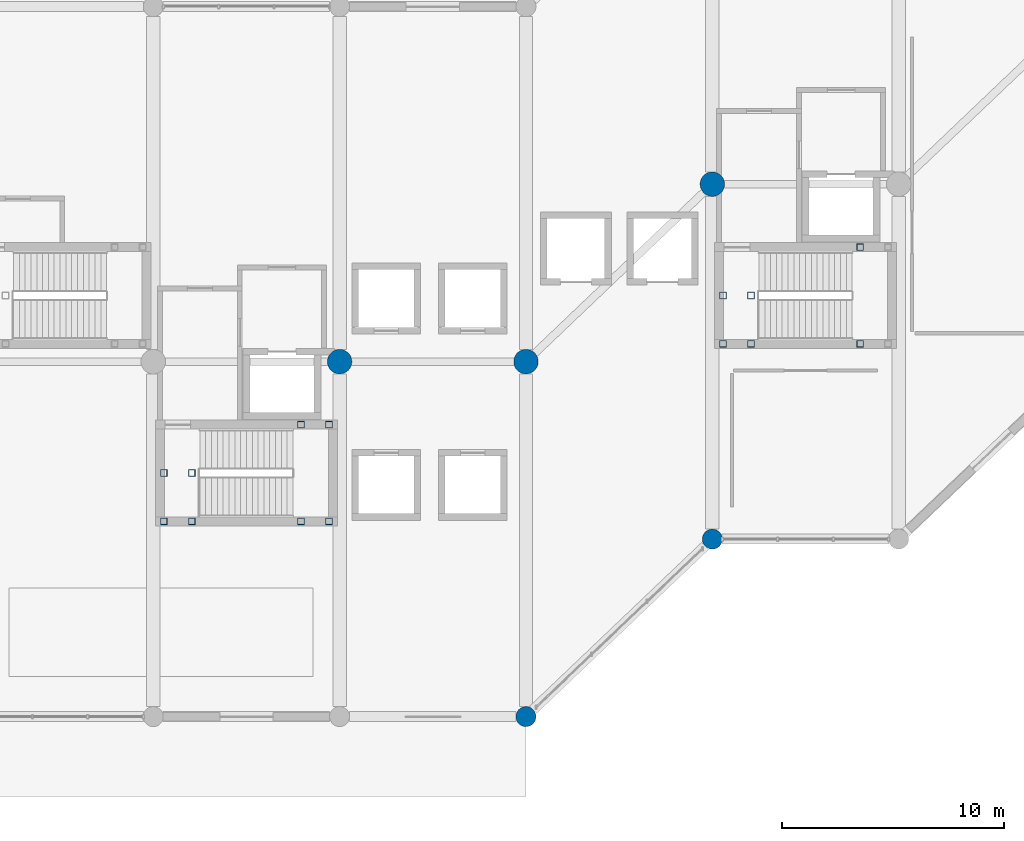
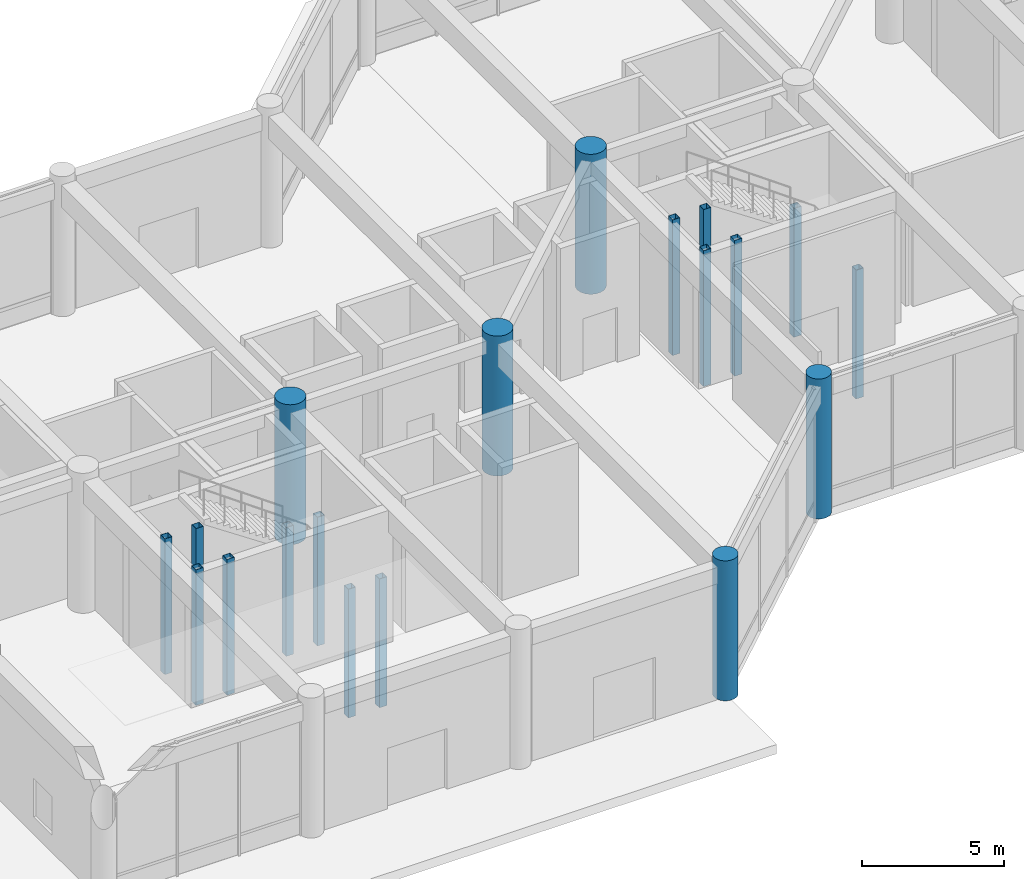
# One storey, part 16 of 76: 19 columns.
"""IFC4 building model written with IfcOpenShell, lengths in metres."""

from ifc_helpers import new_model, si_unit, direction, frame, origin, origin_2d, place, context, subcontext, project, spatial, hollow_rectangle, circle, extrude, material, material_profile, profile_set, type_object, element, save


model = new_model("IFC4")

# Units and contexts
model_context = context("Model", 3, precision=1e-05, world=origin(), true_north=direction((0.0, 1.0)))
body_context = subcontext(model_context, "Body", "Model", "MODEL_VIEW")
ifc_project = project(units=[si_unit("LENGTHUNIT", "METRE"), si_unit("AREAUNIT", "SQUARE_METRE"), si_unit("VOLUMEUNIT", "CUBIC_METRE"), si_unit("PLANEANGLEUNIT", "RADIAN"), si_unit("MASSUNIT", "GRAM", prefix="KILO")], contexts=[model_context])

# Site, building, storey
site_placement = place(None, origin())
site = spatial("IfcSite", under=ifc_project, at=site_placement, CompositionType="ELEMENT")
building_placement = place(site_placement, origin())
building = spatial("IfcBuilding", under=site, at=building_placement, Name="Naruveol Harbour Congress Hotel", CompositionType="ELEMENT")
storey_placement = place(building_placement, origin())
storey = spatial("IfcBuildingStorey", under=building, at=storey_placement, Name="L00", CompositionType="ELEMENT", Elevation=0.0)

# Columns
ifc_material_1 = material(Name="Concrete C50/60", Category="concrete")
ifc_material_profile_1 = material_profile(ifc_material_1, circle(Radius=0.449951171875, at=origin_2d()), Name="RC-D900")
ifc_profile_set_1 = profile_set([ifc_material_profile_1], Name="Concrete C50/60")
column_type_1 = type_object("IfcColumnType", Name="RC HARBOUR PILOTIS D900", PredefinedType="COLUMN", material=ifc_profile_set_1)
for number, where, z_axis, x_axis, name in (
    (1, (142.800048828125, 0.0, 0.0), (0.0, 0.0, 1.0), (1.0, 0.0, 0.0), "Column C-PD900 L00 (142.8,0.0)"),
    (2, (151.199951171875, 8.0, 0.0), (0.0, 0.0, 1.0), (1.0, 0.0, 0.0), "Column C-PD900 L00 (151.2,8.0)"),
):
    element("IfcColumn", number, at=place(storey_placement, frame(where, z_axis=z_axis, x_axis=x_axis)), inside=storey, type_object=column_type_1, Name=name, PredefinedType="COLUMN", context=body_context, shape_type="SweptSolid", body=[
        extrude(circle(Radius=0.449951171875, at=origin_2d()), origin(), (0.0, 0.0, 1.0), 6.0),
    ])
ifc_material_2 = material(Name="Concrete C50/60", Category="concrete")
ifc_material_profile_2 = material_profile(ifc_material_2, circle(Radius=0.550048828125, at=origin_2d()), Name="RC-D1100")
ifc_profile_set_2 = profile_set([ifc_material_profile_2], Name="Concrete C50/60")
column_type_2 = type_object("IfcColumnType", Name="RC TRANSFER PILOTIS D1100", PredefinedType="COLUMN", material=ifc_profile_set_2)
for number, where, z_axis, x_axis, name in (
    (3, (134.39990234375, 16.0, 0.0), (0.0, 0.0, 1.0), (1.0, 0.0, 0.0), "Column C-PD1100 L00 (134.4,16.0)"),
    (4, (142.800048828125, 16.0, 0.0), (0.0, 0.0, 1.0), (1.0, 0.0, 0.0), "Column C-PD1100 L00 (142.8,16.0)"),
    (5, (151.199951171875, 24.0, 0.0), (0.0, 0.0, 1.0), (1.0, 0.0, 0.0), "Column C-PD1100 L00 (151.2,24.0)"),
):
    element("IfcColumn", number, at=place(storey_placement, frame(where, z_axis=z_axis, x_axis=x_axis)), inside=storey, type_object=column_type_2, Name=name, PredefinedType="COLUMN", context=body_context, shape_type="SweptSolid", body=[
        extrude(circle(Radius=0.550048828125, at=origin_2d()), origin(), (0.0, 0.0, 1.0), 6.0),
    ])
ifc_material_3 = material(Name="Steel SN490", Category="steel")
ifc_material_profile_3 = material_profile(ifc_material_3, hollow_rectangle(XDim=0.300048828125, YDim=0.300048828125, WallThickness=0.011962890625, at=origin_2d()), Name="SHS-300x300x12")
ifc_profile_set_3 = profile_set([ifc_material_profile_3], Name="Steel SN490")
column_type_3 = type_object("IfcColumnType", Name="STEEL COLONNADE POST SHS300", PredefinedType="COLUMN", material=ifc_profile_set_3)
for number, where, z_axis, x_axis, name in (
    (6, (126.47998046875, 8.800048828125, 0.0), (0.0, 0.0, 1.0), (1.0, 0.0, 0.0), "Stair landing support post ST1W #2"),
    (7, (126.47998046875, 10.97998046875, 0.0), (0.0, 0.0, 1.0), (1.0, 0.0, 0.0), "Stair landing support post ST1W #14"),
    (8, (127.739990234375, 8.800048828125, 0.0), (0.0, 0.0, 1.0), (1.0, 0.0, 0.0), "Stair landing support post ST1W #26"),
    (9, (127.739990234375, 10.97998046875, 0.0), (0.0, 0.0, 1.0), (1.0, 0.0, 0.0), "Stair landing support post ST1W #38"),
):
    element("IfcColumn", number, at=place(storey_placement, frame(where, z_axis=z_axis, x_axis=x_axis)), inside=storey, type_object=column_type_3, Name=name, PredefinedType="COLUMN", context=body_context, shape_type="SweptSolid", body=[
        extrude(hollow_rectangle(XDim=0.300048828125, YDim=0.300048828125, WallThickness=0.011962890625, at=origin_2d()), origin(), (0.0, 0.0, 1.0), 5.820068359375),
    ])
for number, where, z_axis, x_axis, name in (
    (10, (132.659912109375, 8.800048828125, -2.699951171875), (0.0, 0.0, 1.0), (1.0, 0.0, 0.0), "Stair landing support post ST1E #50"),
    (11, (132.659912109375, 13.159912109375, -2.699951171875), (0.0, 0.0, 1.0), (1.0, 0.0, 0.0), "Stair landing support post ST1E #62"),
    (12, (133.919921875, 8.800048828125, -2.699951171875), (0.0, 0.0, 1.0), (1.0, 0.0, 0.0), "Stair landing support post ST1E #74"),
    (13, (133.919921875, 13.159912109375, -2.699951171875), (0.0, 0.0, 1.0), (1.0, 0.0, 0.0), "Stair landing support post ST1E #86"),
):
    element("IfcColumn", number, at=place(storey_placement, frame(where, z_axis=z_axis, x_axis=x_axis)), inside=storey, type_object=column_type_3, Name=name, PredefinedType="COLUMN", context=body_context, shape_type="SweptSolid", body=[
        extrude(hollow_rectangle(XDim=0.300048828125, YDim=0.300048828125, WallThickness=0.011962890625, at=origin_2d()), origin(), (0.0, 0.0, 1.0), 5.52001953125),
    ])
for number, where, z_axis, x_axis, name in (
    (14, (151.679931640625, 16.800048828125, 0.0), (0.0, 0.0, 1.0), (1.0, 0.0, 0.0), "Stair landing support post ST2W #98"),
    (15, (151.679931640625, 18.97998046875, 0.0), (0.0, 0.0, 1.0), (1.0, 0.0, 0.0), "Stair landing support post ST2W #110"),
    (16, (152.93994140625, 16.800048828125, 0.0), (0.0, 0.0, 1.0), (1.0, 0.0, 0.0), "Stair landing support post ST2W #122"),
    (17, (152.93994140625, 18.97998046875, 0.0), (0.0, 0.0, 1.0), (1.0, 0.0, 0.0), "Stair landing support post ST2W #134"),
):
    element("IfcColumn", number, at=place(storey_placement, frame(where, z_axis=z_axis, x_axis=x_axis)), inside=storey, type_object=column_type_3, Name=name, PredefinedType="COLUMN", context=body_context, shape_type="SweptSolid", body=[
        extrude(hollow_rectangle(XDim=0.300048828125, YDim=0.300048828125, WallThickness=0.011962890625, at=origin_2d()), origin(), (0.0, 0.0, 1.0), 5.820068359375),
    ])
for number, where, z_axis, x_axis, name in (
    (18, (157.860107421875, 16.800048828125, -2.699951171875), (0.0, 0.0, 1.0), (1.0, 0.0, 0.0), "Stair landing support post ST2E #146"),
    (19, (157.860107421875, 21.159912109375, -2.699951171875), (0.0, 0.0, 1.0), (1.0, 0.0, 0.0), "Stair landing support post ST2E #158"),
):
    element("IfcColumn", number, at=place(storey_placement, frame(where, z_axis=z_axis, x_axis=x_axis)), inside=storey, type_object=column_type_3, Name=name, PredefinedType="COLUMN", context=body_context, shape_type="SweptSolid", body=[
        extrude(hollow_rectangle(XDim=0.300048828125, YDim=0.300048828125, WallThickness=0.011962890625, at=origin_2d()), origin(), (0.0, 0.0, 1.0), 5.52001953125),
    ])

save(model, "model.ifc")
